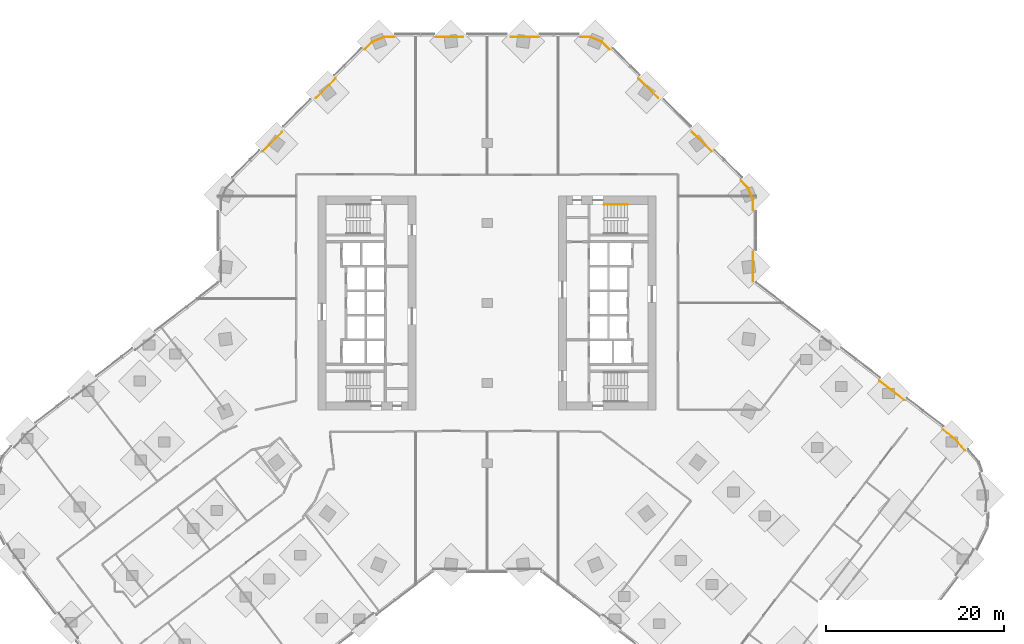
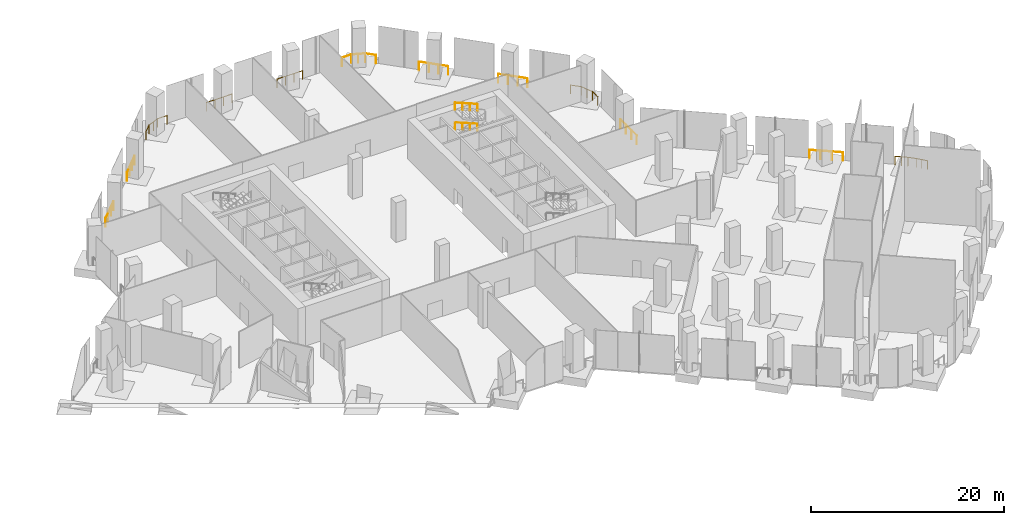
# One storey, part 27 of 27: 14 railings.
"""IFC4 building model written with IfcOpenShell, lengths in metres."""

from ifc_helpers import new_model, si_unit, direction, frame, origin, origin_2d, place, context, subcontext, project, spatial, circle, extrude, material, type_object, element, save


model = new_model("IFC4")

# Units and contexts
model_context = context("Model", 3, precision=1e-05, world=origin(), true_north=direction((0.0, 1.0)))
body_context = subcontext(model_context, "Body", "Model", "MODEL_VIEW")
ifc_project = project(units=[si_unit("LENGTHUNIT", "METRE"), si_unit("AREAUNIT", "SQUARE_METRE"), si_unit("VOLUMEUNIT", "CUBIC_METRE"), si_unit("PLANEANGLEUNIT", "RADIAN"), si_unit("MASSUNIT", "GRAM", prefix="KILO")], contexts=[model_context])

# Site, building, storey
site_placement = place(None, origin())
site = spatial("IfcSite", under=ifc_project, at=site_placement, CompositionType="ELEMENT")
building_placement = place(site_placement, origin())
building = spatial("IfcBuilding", under=site, at=building_placement, Name="Orlundy Tower", CompositionType="ELEMENT")
storey_placement = place(building_placement, frame((0.0, 0.0, 10.5)))
storey = spatial("IfcBuildingStorey", under=building, at=storey_placement, Name="L01", CompositionType="ELEMENT", Elevation=10.5)

# Railings
ifc_material_1 = material(Name="Steel handrail", Category="steel")
railing_type_1 = type_object("IfcRailingType", Name="Stair Handrail 900", PredefinedType="HANDRAIL", material=ifc_material_1)
for number, where, name in (
    (1, (15.800048828125, 11.050048828125, 1.40625), "L01 ST-E2 stair handrail 2"),
    (2, (15.800048828125, 11.050048828125, 3.90625), "L01 ST-E2 stair handrail 4"),
):
    element("IfcRailing", number, at=place(storey_placement, frame(where)), inside=storey, type_object=railing_type_1, Name=name, PredefinedType="HANDRAIL", context=body_context, shape_type="SweptSolid", body=[
        extrude(circle(Radius=0.02392578125, at=origin_2d()), frame((0.0, 0.0, 0.8759765625), z_axis=(-0.924874861033, 0.0, 0.380271602187), x_axis=(0.0, -1.0, 0.0)), (0.0, 0.0, 1.0), 2.876220703125),
        extrude(circle(Radius=0.02099609375, at=origin_2d()), origin(), (0.0, 0.0, 1.0), 0.851806640625),
        extrude(circle(Radius=0.02099609375, at=origin_2d()), frame((-0.88671875, 0.0, 0.364501953125)), (0.0, 0.0, 1.0), 0.851806640625),
        extrude(circle(Radius=0.02099609375, at=origin_2d()), frame((-1.7734375, 0.0, 0.729248046875)), (0.0, 0.0, 1.0), 0.851806640625),
        extrude(circle(Radius=0.02099609375, at=origin_2d()), frame((-2.66015625, 0.0, 1.09375)), (0.0, 0.0, 1.0), 0.851806640625),
    ])
ifc_material_2 = material(Name="Stainless steel bronze finish", Category="steel")
railing_type_2 = type_object("IfcRailingType", Name="TG1 terrace guard", PredefinedType="GUARDRAIL", material=ifc_material_2)
railing_1_placement = place(storey_placement, frame((-13.754638671875, 28.501708984375, 0.0)))
element("IfcRailing", 3, at=railing_1_placement, inside=storey, type_object=railing_type_2, Name="Guard TG-L01-E06", PredefinedType="GUARDRAIL", context=body_context, shape_type="SweptSolid", body=[
    extrude(circle(Radius=0.02490234375, at=origin_2d()), frame((0.0, 0.0, 1.09521484375), z_axis=(0.707212138673, 0.707001408, 0.0), x_axis=(-0.707001408, 0.707212138673, 0.0)), (0.0, 0.0, 1.0), 1.158447265625),
    extrude(circle(Radius=0.02490234375, at=origin_2d()), frame((0.8193359375, 0.819091796875, 1.09521484375), z_axis=(0.923768086981, 0.382952374943, 0.0), x_axis=(-0.382952374943, 0.923768086981, 0.0)), (0.0, 0.0, 1.0), 1.4599609375),
    extrude(circle(Radius=0.02490234375, at=origin_2d()), frame((2.16796875, 1.378173828125, 1.09521484375), z_axis=(1.0, 0.0, 0.0), x_axis=(0.0, 1.0, 0.0)), (0.0, 0.0, 1.0), 1.11474609375),
    extrude(circle(Radius=0.02001953125, at=origin_2d()), origin(), (0.0, 0.0, 1.0), 1.070068359375),
    extrude(circle(Radius=0.02001953125, at=origin_2d()), frame((0.8193359375, 0.819091796875, 0.0)), (0.0, 0.0, 1.0), 1.070068359375),
    extrude(circle(Radius=0.02001953125, at=origin_2d()), frame((1.49365234375, 1.0986328125, 0.0)), (0.0, 0.0, 1.0), 1.070068359375),
    extrude(circle(Radius=0.02001953125, at=origin_2d()), frame((2.16796875, 1.378173828125, 0.0)), (0.0, 0.0, 1.0), 1.070068359375),
    extrude(circle(Radius=0.02001953125, at=origin_2d()), frame((3.28271484375, 1.378173828125, 0.0)), (0.0, 0.0, 1.0), 1.070068359375),
])
railing_2_placement = place(storey_placement, frame((10.471923828125, 29.8798828125, 0.0)))
element("IfcRailing", 4, at=railing_2_placement, inside=storey, type_object=railing_type_2, Name="Guard TG-L01-E07", PredefinedType="GUARDRAIL", context=body_context, shape_type="SweptSolid", body=[
    extrude(circle(Radius=0.02490234375, at=origin_2d()), frame((0.0, 0.0, 1.09521484375), z_axis=(1.0, 0.0, 0.0), x_axis=(0.0, 1.0, 0.0)), (0.0, 0.0, 1.0), 1.11474609375),
    extrude(circle(Radius=0.02490234375, at=origin_2d()), frame((1.11474609375, 0.0, 1.09521484375), z_axis=(0.923768086981, -0.382952374943, 0.0), x_axis=(0.382952374943, 0.923768086981, 0.0)), (0.0, 0.0, 1.0), 1.4599609375),
    extrude(circle(Radius=0.02490234375, at=origin_2d()), frame((2.46337890625, -0.55908203125, 1.09521484375), z_axis=(0.707212138673, -0.707001408, 0.0), x_axis=(0.707001408, 0.707212138673, 0.0)), (0.0, 0.0, 1.0), 1.158447265625),
    extrude(circle(Radius=0.02001953125, at=origin_2d()), origin(), (0.0, 0.0, 1.0), 1.070068359375),
    extrude(circle(Radius=0.02001953125, at=origin_2d()), frame((1.11474609375, 0.0, 0.0)), (0.0, 0.0, 1.0), 1.070068359375),
    extrude(circle(Radius=0.02001953125, at=origin_2d()), frame((1.7890625, -0.279541015625, 0.0)), (0.0, 0.0, 1.0), 1.070068359375),
    extrude(circle(Radius=0.02001953125, at=origin_2d()), frame((2.46337890625, -0.55908203125, 0.0)), (0.0, 0.0, 1.0), 1.070068359375),
    extrude(circle(Radius=0.02001953125, at=origin_2d()), frame((3.28271484375, -1.378173828125, 0.0)), (0.0, 0.0, 1.0), 1.070068359375),
])
railing_3_placement = place(storey_placement, frame((28.501708984375, 13.754638671875, 0.0)))
element("IfcRailing", 5, at=railing_3_placement, inside=storey, type_object=railing_type_2, Name="Guard TG-L01-E08", PredefinedType="GUARDRAIL", context=body_context, shape_type="SweptSolid", body=[
    extrude(circle(Radius=0.02490234375, at=origin_2d()), frame((0.0, 0.0, 1.09521484375), z_axis=(0.707001408, -0.707212138673, 0.0), x_axis=(0.707212138673, 0.707001408, 0.0)), (0.0, 0.0, 1.0), 1.158447265625),
    extrude(circle(Radius=0.02490234375, at=origin_2d()), frame((0.819091796875, -0.8193359375, 1.09521484375), z_axis=(0.382952374943, -0.923768086981, 0.0), x_axis=(0.923768086981, 0.382952374943, 0.0)), (0.0, 0.0, 1.0), 1.4599609375),
    extrude(circle(Radius=0.02490234375, at=origin_2d()), frame((1.378173828125, -2.16796875, 1.09521484375), z_axis=(0.0, -1.0, 0.0), x_axis=(1.0, 0.0, 0.0)), (0.0, 0.0, 1.0), 1.11474609375),
    extrude(circle(Radius=0.02001953125, at=origin_2d()), origin(), (0.0, 0.0, 1.0), 1.070068359375),
    extrude(circle(Radius=0.02001953125, at=origin_2d()), frame((0.819091796875, -0.8193359375, 0.0)), (0.0, 0.0, 1.0), 1.070068359375),
    extrude(circle(Radius=0.02001953125, at=origin_2d()), frame((1.0986328125, -1.49365234375, 0.0)), (0.0, 0.0, 1.0), 1.070068359375),
    extrude(circle(Radius=0.02001953125, at=origin_2d()), frame((1.378173828125, -2.16796875, 0.0)), (0.0, 0.0, 1.0), 1.070068359375),
    extrude(circle(Radius=0.02001953125, at=origin_2d()), frame((1.378173828125, -3.28271484375, 0.0)), (0.0, 0.0, 1.0), 1.070068359375),
])
railing_4_placement = place(storey_placement, frame((44.081787109375, -8.76708984375, 0.0)))
element("IfcRailing", 6, at=railing_4_placement, inside=storey, type_object=railing_type_2, Name="Guard TG-L01-E016", PredefinedType="GUARDRAIL", context=body_context, shape_type="SweptSolid", body=[
    extrude(circle(Radius=0.02490234375, at=origin_2d()), frame((0.0, 0.0, 1.09521484375), z_axis=(0.793317087908, -0.608808671121, 0.0), x_axis=(0.608808671121, 0.793317087908, 0.0)), (0.0, 0.0, 1.0), 3.532958984375),
    extrude(circle(Radius=0.02001953125, at=origin_2d()), origin(), (0.0, 0.0, 1.0), 1.070068359375),
    extrude(circle(Radius=0.02001953125, at=origin_2d()), frame((0.934326171875, -0.717041015625, 0.0)), (0.0, 0.0, 1.0), 1.070068359375),
    extrude(circle(Radius=0.02001953125, at=origin_2d()), frame((1.868408203125, -1.433837890625, 0.0)), (0.0, 0.0, 1.0), 1.070068359375),
    extrude(circle(Radius=0.02001953125, at=origin_2d()), frame((2.802734375, -2.15087890625, 0.0)), (0.0, 0.0, 1.0), 1.070068359375),
])
railing_5_placement = place(storey_placement, frame((51.1953125, -14.225830078125, 0.0)))
element("IfcRailing", 7, at=railing_5_placement, inside=storey, type_object=railing_type_2, Name="Guard TG-L01-E021", PredefinedType="GUARDRAIL", context=body_context, shape_type="SweptSolid", body=[
    extrude(circle(Radius=0.02490234375, at=origin_2d()), frame((0.0, 0.0, 1.09521484375), z_axis=(0.79342896125, -0.608662865181, 0.0), x_axis=(0.608662865181, 0.79342896125, 0.0)), (0.0, 0.0, 1.0), 1.329345703125),
    extrude(circle(Radius=0.02490234375, at=origin_2d()), frame((1.0546875, -0.80908203125, 1.09521484375), z_axis=(0.719195980317, -0.694807269605, 0.0), x_axis=(0.694807269605, 0.719195980317, 0.0)), (0.0, 0.0, 1.0), 0.90087890625),
    extrude(circle(Radius=0.02490234375, at=origin_2d()), frame((1.70263671875, -1.43505859375, 1.09521484375), z_axis=(0.659342320947, -0.751842871755, 0.0), x_axis=(0.751842871755, 0.659342320947, 0.0)), (0.0, 0.0, 1.0), 1.216796875),
    extrude(circle(Radius=0.02001953125, at=origin_2d()), origin(), (0.0, 0.0, 1.0), 1.070068359375),
    extrude(circle(Radius=0.02001953125, at=origin_2d()), frame((0.52734375, -0.404541015625, 0.0)), (0.0, 0.0, 1.0), 1.070068359375),
    extrude(circle(Radius=0.02001953125, at=origin_2d()), frame((1.0546875, -0.80908203125, 0.0)), (0.0, 0.0, 1.0), 1.070068359375),
    extrude(circle(Radius=0.02001953125, at=origin_2d()), frame((1.70263671875, -1.43505859375, 0.0)), (0.0, 0.0, 1.0), 1.070068359375),
    extrude(circle(Radius=0.02001953125, at=origin_2d()), frame((2.103759765625, -1.892578125, 0.0)), (0.0, 0.0, 1.0), 1.070068359375),
    extrude(circle(Radius=0.02001953125, at=origin_2d()), frame((2.5048828125, -2.349853515625, 0.0)), (0.0, 0.0, 1.0), 1.070068359375),
])
railing_6_placement = place(storey_placement, frame((29.8798828125, 5.764892578125, 0.0)))
element("IfcRailing", 8, at=railing_6_placement, inside=storey, type_object=railing_type_2, Name="Guard TG-L01-E023", PredefinedType="GUARDRAIL", context=body_context, shape_type="SweptSolid", body=[
    extrude(circle(Radius=0.02490234375, at=origin_2d()), frame((0.0, 0.0, 1.09521484375), z_axis=(0.0, -1.0, 0.0), x_axis=(1.0, 0.0, 0.0)), (0.0, 0.0, 1.0), 3.375),
    extrude(circle(Radius=0.02001953125, at=origin_2d()), origin(), (0.0, 0.0, 1.0), 1.070068359375),
    extrude(circle(Radius=0.02001953125, at=origin_2d()), frame((0.0, -1.125, 0.0)), (0.0, 0.0, 1.0), 1.070068359375),
    extrude(circle(Radius=0.02001953125, at=origin_2d()), frame((0.0, -2.25, 0.0)), (0.0, 0.0, 1.0), 1.070068359375),
    extrude(circle(Radius=0.02001953125, at=origin_2d()), frame((0.0, -3.375, 0.0)), (0.0, 0.0, 1.0), 1.070068359375),
])
railing_7_placement = place(storey_placement, frame((-19.229248046875, 23.027099609375, 0.0)))
element("IfcRailing", 9, at=railing_7_placement, inside=storey, type_object=railing_type_2, Name="Guard TG-L01-E025", PredefinedType="GUARDRAIL", context=body_context, shape_type="SweptSolid", body=[
    extrude(circle(Radius=0.02490234375, at=origin_2d()), frame((0.0, 0.0, 1.09521484375), z_axis=(0.707106781187, 0.707106781187, 0.0), x_axis=(-0.707106781187, 0.707106781187, 0.0)), (0.0, 0.0, 1.0), 3.123291015625),
    extrude(circle(Radius=0.02001953125, at=origin_2d()), origin(), (0.0, 0.0, 1.0), 1.070068359375),
    extrude(circle(Radius=0.02001953125, at=origin_2d()), frame((0.736083984375, 0.736083984375, 0.0)), (0.0, 0.0, 1.0), 1.070068359375),
    extrude(circle(Radius=0.02001953125, at=origin_2d()), frame((1.472412109375, 1.472412109375, 0.0)), (0.0, 0.0, 1.0), 1.070068359375),
    extrude(circle(Radius=0.02001953125, at=origin_2d()), frame((2.20849609375, 2.20849609375, 0.0)), (0.0, 0.0, 1.0), 1.070068359375),
])
railing_8_placement = place(storey_placement, frame((23.027099609375, 19.229248046875, 0.0)))
element("IfcRailing", 10, at=railing_8_placement, inside=storey, type_object=railing_type_2, Name="Guard TG-L01-E026", PredefinedType="GUARDRAIL", context=body_context, shape_type="SweptSolid", body=[
    extrude(circle(Radius=0.02490234375, at=origin_2d()), frame((0.0, 0.0, 1.09521484375), z_axis=(0.707106781187, -0.707106781187, 0.0), x_axis=(0.707106781187, 0.707106781187, 0.0)), (0.0, 0.0, 1.0), 3.123291015625),
    extrude(circle(Radius=0.02001953125, at=origin_2d()), origin(), (0.0, 0.0, 1.0), 1.070068359375),
    extrude(circle(Radius=0.02001953125, at=origin_2d()), frame((0.736083984375, -0.736083984375, 0.0)), (0.0, 0.0, 1.0), 1.070068359375),
    extrude(circle(Radius=0.02001953125, at=origin_2d()), frame((1.472412109375, -1.472412109375, 0.0)), (0.0, 0.0, 1.0), 1.070068359375),
    extrude(circle(Radius=0.02001953125, at=origin_2d()), frame((2.20849609375, -2.20849609375, 0.0)), (0.0, 0.0, 1.0), 1.070068359375),
])
railing_9_placement = place(storey_placement, frame((-25.235595703125, 17.020751953125, 0.0)))
element("IfcRailing", 11, at=railing_9_placement, inside=storey, type_object=railing_type_2, Name="Guard TG-L01-E027", PredefinedType="GUARDRAIL", context=body_context, shape_type="SweptSolid", body=[
    extrude(circle(Radius=0.02490234375, at=origin_2d()), frame((0.0, 0.0, 1.09521484375), z_axis=(0.707106781187, 0.707106781187, 0.0), x_axis=(-0.707106781187, 0.707106781187, 0.0)), (0.0, 0.0, 1.0), 3.123291015625),
    extrude(circle(Radius=0.02001953125, at=origin_2d()), origin(), (0.0, 0.0, 1.0), 1.070068359375),
    extrude(circle(Radius=0.02001953125, at=origin_2d()), frame((0.736083984375, 0.736083984375, 0.0)), (0.0, 0.0, 1.0), 1.070068359375),
    extrude(circle(Radius=0.02001953125, at=origin_2d()), frame((1.472412109375, 1.472412109375, 0.0)), (0.0, 0.0, 1.0), 1.070068359375),
    extrude(circle(Radius=0.02001953125, at=origin_2d()), frame((2.20849609375, 2.20849609375, 0.0)), (0.0, 0.0, 1.0), 1.070068359375),
])
railing_10_placement = place(storey_placement, frame((17.020751953125, 25.235595703125, 0.0)))
element("IfcRailing", 12, at=railing_10_placement, inside=storey, type_object=railing_type_2, Name="Guard TG-L01-E028", PredefinedType="GUARDRAIL", context=body_context, shape_type="SweptSolid", body=[
    extrude(circle(Radius=0.02490234375, at=origin_2d()), frame((0.0, 0.0, 1.09521484375), z_axis=(0.707106781187, -0.707106781187, 0.0), x_axis=(0.707106781187, 0.707106781187, 0.0)), (0.0, 0.0, 1.0), 3.123291015625),
    extrude(circle(Radius=0.02001953125, at=origin_2d()), origin(), (0.0, 0.0, 1.0), 1.070068359375),
    extrude(circle(Radius=0.02001953125, at=origin_2d()), frame((0.736083984375, -0.736083984375, 0.0)), (0.0, 0.0, 1.0), 1.070068359375),
    extrude(circle(Radius=0.02001953125, at=origin_2d()), frame((1.472412109375, -1.472412109375, 0.0)), (0.0, 0.0, 1.0), 1.070068359375),
    extrude(circle(Radius=0.02001953125, at=origin_2d()), frame((2.20849609375, -2.20849609375, 0.0)), (0.0, 0.0, 1.0), 1.070068359375),
])
for number, where, name in (
    (13, (2.685302734375, 29.8798828125, 0.0), "Guard TG-L01-E029"),
    (14, (-5.764892578125, 29.8798828125, 0.0), "Guard TG-L01-E030"),
):
    element("IfcRailing", number, at=place(storey_placement, frame(where)), inside=storey, type_object=railing_type_2, Name=name, PredefinedType="GUARDRAIL", context=body_context, shape_type="SweptSolid", body=[
        extrude(circle(Radius=0.02490234375, at=origin_2d()), frame((0.0, 0.0, 1.09521484375), z_axis=(1.0, 0.0, 0.0), x_axis=(0.0, 1.0, 0.0)), (0.0, 0.0, 1.0), 3.07958984375),
        extrude(circle(Radius=0.02001953125, at=origin_2d()), origin(), (0.0, 0.0, 1.0), 1.070068359375),
        extrude(circle(Radius=0.02001953125, at=origin_2d()), frame((1.026611328125, 0.0, 0.0)), (0.0, 0.0, 1.0), 1.070068359375),
        extrude(circle(Radius=0.02001953125, at=origin_2d()), frame((2.052978515625, 0.0, 0.0)), (0.0, 0.0, 1.0), 1.070068359375),
        extrude(circle(Radius=0.02001953125, at=origin_2d()), frame((3.07958984375, 0.0, 0.0)), (0.0, 0.0, 1.0), 1.070068359375),
    ])

save(model, "model.ifc")
